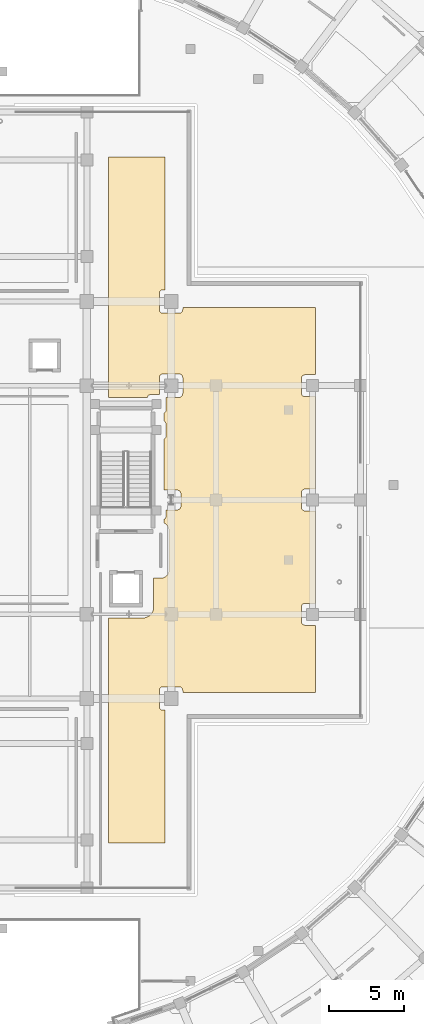
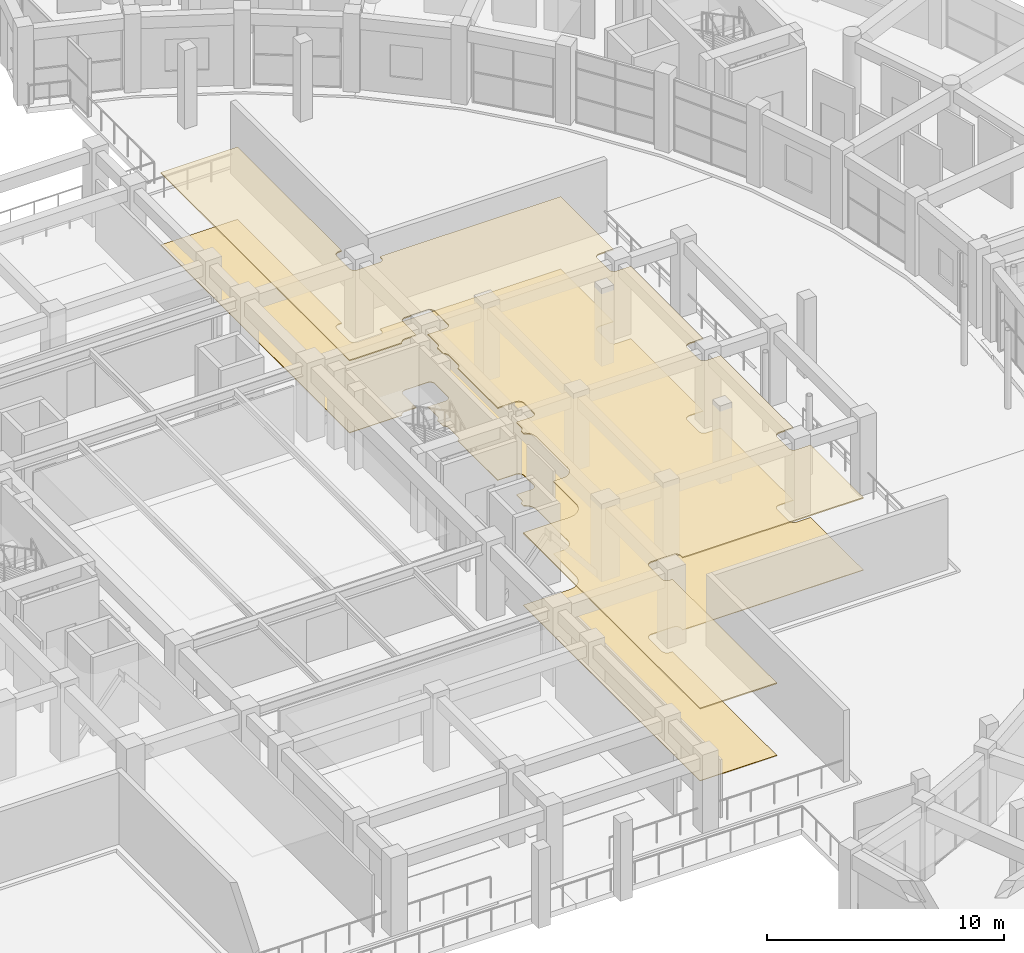
# One storey, part 82 of 87: 2 coverings.
"""IFC4 building model written with IfcOpenShell, lengths in metres."""

from ifc_helpers import new_model, si_unit, direction, frame, origin, place, context, subcontext, project, spatial, polyline, outline, extrude, material, layer, layer_set, type_object, element, save


model = new_model("IFC4")

# Units and contexts
model_context = context("Model", 3, precision=1e-05, world=origin(), true_north=direction((0.0, 1.0)))
body_context = subcontext(model_context, "Body", "Model", "MODEL_VIEW")
ifc_project = project(units=[si_unit("LENGTHUNIT", "METRE"), si_unit("AREAUNIT", "SQUARE_METRE"), si_unit("VOLUMEUNIT", "CUBIC_METRE"), si_unit("PLANEANGLEUNIT", "RADIAN"), si_unit("MASSUNIT", "GRAM", prefix="KILO")], contexts=[model_context])

# Site, building, storey
site_placement = place(None, origin())
site = spatial("IfcSite", under=ifc_project, at=site_placement, CompositionType="ELEMENT")
building_placement = place(site_placement, origin())
building = spatial("IfcBuilding", under=site, at=building_placement, Name="Saryqyr Civic Hall", CompositionType="ELEMENT")
storey_placement = place(building_placement, frame((0.0, 0.0, 5.10009765625)))
storey = spatial("IfcBuildingStorey", under=building, at=storey_placement, Name="L01", CompositionType="ELEMENT", Elevation=5.10009765625)

# Coverings
ifc_material_1 = material(Name="Mineral-fibre acoustic ceiling tile", Category="acoustic_tile")
ifc_layer_1 = layer(ifc_material_1, 0.06005859375, Name="Mineral-fibre acoustic ceiling tile")
ifc_layer_set_1 = layer_set([ifc_layer_1], Name="Mineral-fibre acoustic ceiling tile")
covering_type_1 = type_object("IfcCoveringType", Name="INT-COV-CEIL-60", PredefinedType="CEILING", material=ifc_layer_set_1)
covering_1_placement = place(storey_placement, frame((0.0, 0.0, 3.7099609375)))
element("IfcCovering", 1, at=covering_1_placement, inside=storey, type_object=covering_type_1, Name="Acoustic ceiling Public Exhibition Mezzanine East", PredefinedType="CEILING", context=body_context, shape_type="SweptSolid", body=[
    extrude(outline(polyline([(66.050048828125, 76.152099609375), (66.080322265625, 76.150390625), (66.10009765625, 76.14990234375), (68.300048828125, 76.14990234375), (68.319580078125, 76.150390625), (68.35400390625, 76.152099609375), (68.39306640625, 76.156005859375), (68.427001953125, 76.1611328125), (68.465576171875, 76.168701171875), (68.498779296875, 76.177001953125), (68.536376953125, 76.1884765625), (68.568603515625, 76.199951171875), (68.60498046875, 76.215087890625), (68.635986328125, 76.229736328125), (68.670654296875, 76.248291015625), (68.7001953125, 76.265869140625), (68.732666015625, 76.28759765625), (68.76025390625, 76.30810546875), (68.790771484375, 76.3330078125), (68.816162109375, 76.356201171875), (68.843994140625, 76.3837890625), (68.866943359375, 76.4091796875), (68.891845703125, 76.439697265625), (68.912353515625, 76.46728515625), (68.93408203125, 76.5), (68.951904296875, 76.529296875), (68.97021484375, 76.56396484375), (68.985107421875, 76.594970703125), (69.0, 76.63134765625), (69.011474609375, 76.66357421875), (69.02294921875, 76.701171875), (69.03125, 76.734619140625), (69.038818359375, 76.77294921875), (69.0439453125, 76.806884765625), (69.0478515625, 76.84619140625), (69.049560546875, 76.88037109375), (69.050048828125, 76.89990234375), (69.050048828125, 78.797607421875), (69.522705078125, 78.800048828125), (69.57666015625, 78.802978515625), (69.6298828125, 78.81103515625), (69.68212890625, 78.824462890625), (69.73291015625, 78.8427734375), (69.781494140625, 78.8662109375), (69.82763671875, 78.89404296875), (69.87060546875, 78.92626953125), (69.910400390625, 78.962646484375), (69.946533203125, 79.002685546875), (69.978515625, 79.04638671875), (70.006103515625, 79.092529296875), (70.02880859375, 79.1416015625), (70.046875, 79.1923828125), (70.059814453125, 79.24462890625), (70.0673828125, 79.298095703125), (70.070068359375, 79.351806640625), (70.06103515625, 81.968505859375), (70.058349609375, 82.022216796875), (70.05029296875, 82.075439453125), (70.037109375, 82.127685546875), (70.018798828125, 82.17822265625), (69.99560546875, 82.226806640625), (69.968017578125, 82.27294921875), (69.935791015625, 82.316162109375), (69.8994140625, 82.35595703125), (69.859619140625, 82.39208984375), (69.81640625, 82.42431640625), (69.77001953125, 82.451904296875), (69.721435546875, 82.474853515625), (69.719970703125, 82.475341796875), (69.719970703125, 82.7060546875), (69.73779296875, 82.714599609375), (69.7587890625, 82.72705078125), (69.778564453125, 82.74169921875), (69.796875, 82.75830078125), (69.813232421875, 82.7763671875), (69.827880859375, 82.796142578125), (69.840576171875, 82.817138671875), (69.85107421875, 82.83935546875), (69.859130859375, 82.8623046875), (69.865234375, 82.88623046875), (69.868896484375, 82.910400390625), (69.8701171875, 82.93505859375), (69.8701171875, 83.344970703125), (70.60498046875, 83.344970703125), (70.62939453125, 83.34619140625), (70.65380859375, 83.349853515625), (70.677490234375, 83.355712890625), (70.70068359375, 83.364013671875), (70.722900390625, 83.37451171875), (70.743896484375, 83.38720703125), (70.763671875, 83.401611328125), (70.78173828125, 83.418212890625), (70.79833984375, 83.436279296875), (70.81298828125, 83.4560546875), (70.825439453125, 83.477294921875), (70.8359375, 83.499267578125), (70.84423828125, 83.5224609375), (70.85009765625, 83.546142578125), (70.853759765625, 83.570556640625), (70.85498046875, 83.594970703125), (70.85498046875, 84.405029296875), (70.853759765625, 84.429443359375), (70.85009765625, 84.453857421875), (70.84423828125, 84.4775390625), (70.8359375, 84.500732421875), (70.825439453125, 84.522705078125), (70.81298828125, 84.5439453125), (70.79833984375, 84.563720703125), (70.78173828125, 84.581787109375), (70.763671875, 84.598388671875), (70.743896484375, 84.61279296875), (70.722900390625, 84.62548828125), (70.70068359375, 84.635986328125), (70.677490234375, 84.644287109375), (70.65380859375, 84.650146484375), (70.62939453125, 84.65380859375), (70.60498046875, 84.655029296875), (69.794921875, 84.655029296875), (69.7705078125, 84.65380859375), (69.74609375, 84.650146484375), (69.722412109375, 84.644287109375), (69.719970703125, 84.643310546875), (69.719970703125, 88.041015625), (69.73779296875, 88.049560546875), (69.7587890625, 88.06201171875), (69.778564453125, 88.07666015625), (69.796875, 88.09326171875), (69.813232421875, 88.111328125), (69.827880859375, 88.131103515625), (69.840576171875, 88.152099609375), (69.85107421875, 88.17431640625), (69.859130859375, 88.197509765625), (69.865234375, 88.22119140625), (69.868896484375, 88.24560546875), (69.8701171875, 88.27001953125), (69.8701171875, 89.030029296875), (69.868896484375, 89.054443359375), (69.865234375, 89.078857421875), (69.859130859375, 89.1025390625), (69.85107421875, 89.125732421875), (69.840576171875, 89.147705078125), (69.827880859375, 89.1689453125), (69.813232421875, 89.188720703125), (69.796875, 89.206787109375), (69.778564453125, 89.223388671875), (69.7587890625, 89.23779296875), (69.73779296875, 89.25048828125), (69.719970703125, 89.2587890625), (69.719970703125, 89.77099609375), (69.73779296875, 89.779541015625), (69.7587890625, 89.7919921875), (69.778564453125, 89.806640625), (69.796875, 89.8232421875), (69.813232421875, 89.84130859375), (69.827880859375, 89.861083984375), (69.840576171875, 89.882080078125), (69.85107421875, 89.904296875), (69.859130859375, 89.927490234375), (69.865234375, 89.951171875), (69.868896484375, 89.9755859375), (69.8701171875, 90.0), (69.8701171875, 90.760009765625), (69.868896484375, 90.784423828125), (69.865234375, 90.808837890625), (69.8623046875, 90.820068359375), (70.72998046875, 90.820068359375), (70.75439453125, 90.8212890625), (70.77880859375, 90.82470703125), (70.802490234375, 90.830810546875), (70.82568359375, 90.839111328125), (70.847900390625, 90.849609375), (70.868896484375, 90.862060546875), (70.888671875, 90.876708984375), (70.90673828125, 90.893310546875), (70.92333984375, 90.911376953125), (70.93798828125, 90.93115234375), (70.950439453125, 90.9521484375), (70.9609375, 90.974365234375), (70.96923828125, 90.997314453125), (70.97509765625, 91.021240234375), (70.978759765625, 91.04541015625), (70.97998046875, 91.070068359375), (70.97998046875, 92.1298828125), (70.978759765625, 92.154541015625), (70.97509765625, 92.1787109375), (70.96923828125, 92.20263671875), (70.9609375, 92.2255859375), (70.950439453125, 92.247802734375), (70.93798828125, 92.268798828125), (70.92333984375, 92.28857421875), (70.90673828125, 92.306884765625), (70.888671875, 92.3232421875), (70.868896484375, 92.337890625), (70.847900390625, 92.3505859375), (70.82568359375, 92.361083984375), (70.802490234375, 92.369140625), (70.77880859375, 92.375244140625), (70.75439453125, 92.37890625), (70.72998046875, 92.3798828125), (69.669921875, 92.3798828125), (69.6455078125, 92.37890625), (69.62109375, 92.375244140625), (69.597412109375, 92.369140625), (69.57421875, 92.361083984375), (69.55224609375, 92.3505859375), (69.531005859375, 92.337890625), (69.511474609375, 92.3232421875), (69.4931640625, 92.306884765625), (69.476806640625, 92.28857421875), (69.462158203125, 92.268798828125), (69.449462890625, 92.247802734375), (69.43896484375, 92.2255859375), (69.430908203125, 92.20263671875), (69.4248046875, 92.1787109375), (69.421142578125, 92.154541015625), (69.419921875, 92.1298828125), (69.419921875, 91.070068359375), (69.421142578125, 91.04541015625), (69.4248046875, 91.021240234375), (69.427490234375, 91.010009765625), (68.860107421875, 91.010009765625), (68.83544921875, 91.0087890625), (68.811279296875, 91.005126953125), (68.787353515625, 90.999267578125), (68.764404296875, 90.990966796875), (68.7421875, 90.98046875), (68.72119140625, 90.968017578125), (68.701416015625, 90.953369140625), (68.68310546875, 90.936767578125), (68.666748046875, 90.918701171875), (68.652099609375, 90.89892578125), (68.639404296875, 90.877685546875), (68.62890625, 90.855712890625), (68.620849609375, 90.83251953125), (68.61767578125, 90.820068359375), (66.050048828125, 90.820068359375), (66.050048828125, 106.800048828125), (69.800048828125, 106.800048828125), (69.800048828125, 97.97998046875), (69.669921875, 97.97998046875), (69.6455078125, 97.978759765625), (69.62109375, 97.97509765625), (69.597412109375, 97.96923828125), (69.57421875, 97.9609375), (69.55224609375, 97.950439453125), (69.531005859375, 97.93798828125), (69.511474609375, 97.92333984375), (69.4931640625, 97.90673828125), (69.476806640625, 97.888671875), (69.462158203125, 97.868896484375), (69.449462890625, 97.847900390625), (69.43896484375, 97.82568359375), (69.430908203125, 97.802490234375), (69.4248046875, 97.77880859375), (69.421142578125, 97.75439453125), (69.419921875, 97.72998046875), (69.419921875, 96.669921875), (69.421142578125, 96.6455078125), (69.4248046875, 96.62109375), (69.430908203125, 96.597412109375), (69.43896484375, 96.57421875), (69.449462890625, 96.55224609375), (69.462158203125, 96.531005859375), (69.476806640625, 96.511474609375), (69.4931640625, 96.4931640625), (69.511474609375, 96.476806640625), (69.531005859375, 96.462158203125), (69.55224609375, 96.449462890625), (69.57421875, 96.43896484375), (69.597412109375, 96.430908203125), (69.62109375, 96.4248046875), (69.6455078125, 96.421142578125), (69.669921875, 96.419921875), (70.72998046875, 96.419921875), (70.75439453125, 96.421142578125), (70.77880859375, 96.4248046875), (70.802490234375, 96.430908203125), (70.82568359375, 96.43896484375), (70.847900390625, 96.449462890625), (70.868896484375, 96.462158203125), (70.888671875, 96.476806640625), (70.90673828125, 96.4931640625), (70.92333984375, 96.511474609375), (70.93798828125, 96.531005859375), (70.950439453125, 96.55224609375), (70.9609375, 96.57421875), (70.96923828125, 96.597412109375), (70.97509765625, 96.62109375), (70.978759765625, 96.6455078125), (70.97998046875, 96.669921875), (70.97998046875, 96.800048828125), (79.800048828125, 96.800048828125), (79.800048828125, 92.330078125), (79.1201171875, 92.330078125), (79.095458984375, 92.328857421875), (79.0712890625, 92.3251953125), (79.04736328125, 92.319091796875), (79.0244140625, 92.31103515625), (79.002197265625, 92.300537109375), (78.981201171875, 92.287841796875), (78.96142578125, 92.273193359375), (78.943115234375, 92.2568359375), (78.9267578125, 92.238525390625), (78.912109375, 92.218994140625), (78.8994140625, 92.19775390625), (78.888916015625, 92.17578125), (78.880859375, 92.152587890625), (78.874755859375, 92.12890625), (78.87109375, 92.1044921875), (78.8701171875, 92.080078125), (78.8701171875, 91.1201171875), (78.87109375, 91.095458984375), (78.874755859375, 91.0712890625), (78.880859375, 91.04736328125), (78.888916015625, 91.0244140625), (78.8994140625, 91.002197265625), (78.912109375, 90.981201171875), (78.9267578125, 90.96142578125), (78.943115234375, 90.943115234375), (78.96142578125, 90.9267578125), (78.981201171875, 90.912109375), (79.002197265625, 90.8994140625), (79.0244140625, 90.888916015625), (79.04736328125, 90.880859375), (79.0712890625, 90.874755859375), (79.095458984375, 90.87109375), (79.1201171875, 90.8701171875), (79.800048828125, 90.8701171875), (79.800048828125, 84.72998046875), (79.1201171875, 84.72998046875), (79.095458984375, 84.728759765625), (79.0712890625, 84.72509765625), (79.04736328125, 84.71923828125), (79.0244140625, 84.7109375), (79.002197265625, 84.700439453125), (78.981201171875, 84.68798828125), (78.96142578125, 84.67333984375), (78.943115234375, 84.65673828125), (78.9267578125, 84.638671875), (78.912109375, 84.618896484375), (78.8994140625, 84.597900390625), (78.888916015625, 84.57568359375), (78.880859375, 84.552490234375), (78.874755859375, 84.52880859375), (78.87109375, 84.50439453125), (78.8701171875, 84.47998046875), (78.8701171875, 83.52001953125), (78.87109375, 83.49560546875), (78.874755859375, 83.47119140625), (78.880859375, 83.447509765625), (78.888916015625, 83.42431640625), (78.8994140625, 83.402099609375), (78.912109375, 83.381103515625), (78.9267578125, 83.361328125), (78.943115234375, 83.34326171875), (78.96142578125, 83.32666015625), (78.981201171875, 83.31201171875), (79.002197265625, 83.299560546875), (79.0244140625, 83.2890625), (79.04736328125, 83.28076171875), (79.0712890625, 83.27490234375), (79.095458984375, 83.271240234375), (79.1201171875, 83.27001953125), (79.800048828125, 83.27001953125), (79.800048828125, 77.1298828125), (79.1201171875, 77.1298828125), (79.095458984375, 77.12890625), (79.0712890625, 77.125244140625), (79.04736328125, 77.119140625), (79.0244140625, 77.111083984375), (79.002197265625, 77.1005859375), (78.981201171875, 77.087890625), (78.96142578125, 77.0732421875), (78.943115234375, 77.056884765625), (78.9267578125, 77.03857421875), (78.912109375, 77.018798828125), (78.8994140625, 76.997802734375), (78.888916015625, 76.9755859375), (78.880859375, 76.95263671875), (78.874755859375, 76.9287109375), (78.87109375, 76.904541015625), (78.8701171875, 76.8798828125), (78.8701171875, 75.919921875), (78.87109375, 75.8955078125), (78.874755859375, 75.87109375), (78.880859375, 75.847412109375), (78.888916015625, 75.82421875), (78.8994140625, 75.80224609375), (78.912109375, 75.781005859375), (78.9267578125, 75.761474609375), (78.943115234375, 75.7431640625), (78.96142578125, 75.726806640625), (78.981201171875, 75.712158203125), (79.002197265625, 75.699462890625), (79.0244140625, 75.68896484375), (79.04736328125, 75.680908203125), (79.0712890625, 75.6748046875), (79.095458984375, 75.671142578125), (79.1201171875, 75.669921875), (79.800048828125, 75.669921875), (79.800048828125, 71.199951171875), (70.97998046875, 71.199951171875), (70.97998046875, 71.330078125), (70.978759765625, 71.3544921875), (70.97509765625, 71.37890625), (70.96923828125, 71.402587890625), (70.9609375, 71.42578125), (70.950439453125, 71.44775390625), (70.93798828125, 71.468994140625), (70.92333984375, 71.488525390625), (70.90673828125, 71.5068359375), (70.888671875, 71.523193359375), (70.868896484375, 71.537841796875), (70.847900390625, 71.550537109375), (70.82568359375, 71.56103515625), (70.802490234375, 71.569091796875), (70.77880859375, 71.5751953125), (70.75439453125, 71.578857421875), (70.72998046875, 71.580078125), (69.669921875, 71.580078125), (69.6455078125, 71.578857421875), (69.62109375, 71.5751953125), (69.597412109375, 71.569091796875), (69.57421875, 71.56103515625), (69.55224609375, 71.550537109375), (69.531005859375, 71.537841796875), (69.511474609375, 71.523193359375), (69.4931640625, 71.5068359375), (69.476806640625, 71.488525390625), (69.462158203125, 71.468994140625), (69.449462890625, 71.44775390625), (69.43896484375, 71.42578125), (69.430908203125, 71.402587890625), (69.4248046875, 71.37890625), (69.421142578125, 71.3544921875), (69.419921875, 71.330078125), (69.419921875, 70.27001953125), (69.421142578125, 70.24560546875), (69.4248046875, 70.22119140625), (69.430908203125, 70.197509765625), (69.43896484375, 70.17431640625), (69.449462890625, 70.152099609375), (69.462158203125, 70.131103515625), (69.476806640625, 70.111328125), (69.4931640625, 70.09326171875), (69.511474609375, 70.07666015625), (69.531005859375, 70.06201171875), (69.55224609375, 70.049560546875), (69.57421875, 70.0390625), (69.597412109375, 70.03076171875), (69.62109375, 70.02490234375), (69.6455078125, 70.021240234375), (69.669921875, 70.02001953125), (69.800048828125, 70.02001953125), (69.800048828125, 61.199951171875), (66.050048828125, 61.199951171875), (66.050048828125, 76.152099609375)])), origin(), (0.0, 0.0, 1.0), 0.06005859375),
])
ifc_material_2 = material(Name="Polished terrazzo tile", Category="stone")
ifc_layer_2 = layer(ifc_material_2, 0.030029296875, Name="Polished terrazzo tile")
ifc_layer_set_2 = layer_set([ifc_layer_2], Name="Polished terrazzo tile")
covering_type_2 = type_object("IfcCoveringType", Name="INT-COV-FLR-30", PredefinedType="FLOORING", material=ifc_layer_set_2)
covering_2_placement = place(storey_placement, origin())
element("IfcCovering", 2, at=covering_2_placement, inside=storey, type_object=covering_type_2, Name="Polished terrazzo flooring Public Exhibition Mezzanine East", PredefinedType="FLOORING", context=body_context, shape_type="SweptSolid", body=[
    extrude(outline(polyline([(66.050048828125, 76.152099609375), (66.080322265625, 76.150390625), (66.10009765625, 76.14990234375), (68.300048828125, 76.14990234375), (68.319580078125, 76.150390625), (68.35400390625, 76.152099609375), (68.39306640625, 76.156005859375), (68.427001953125, 76.1611328125), (68.465576171875, 76.168701171875), (68.498779296875, 76.177001953125), (68.536376953125, 76.1884765625), (68.568603515625, 76.199951171875), (68.60498046875, 76.215087890625), (68.635986328125, 76.229736328125), (68.670654296875, 76.248291015625), (68.7001953125, 76.265869140625), (68.732666015625, 76.28759765625), (68.76025390625, 76.30810546875), (68.790771484375, 76.3330078125), (68.816162109375, 76.356201171875), (68.843994140625, 76.3837890625), (68.866943359375, 76.4091796875), (68.891845703125, 76.439697265625), (68.912353515625, 76.46728515625), (68.93408203125, 76.5), (68.951904296875, 76.529296875), (68.97021484375, 76.56396484375), (68.985107421875, 76.594970703125), (69.0, 76.63134765625), (69.011474609375, 76.66357421875), (69.02294921875, 76.701171875), (69.03125, 76.734619140625), (69.038818359375, 76.77294921875), (69.0439453125, 76.806884765625), (69.0478515625, 76.84619140625), (69.049560546875, 76.88037109375), (69.050048828125, 76.89990234375), (69.050048828125, 78.797607421875), (69.522705078125, 78.800048828125), (69.57666015625, 78.802978515625), (69.6298828125, 78.81103515625), (69.68212890625, 78.824462890625), (69.73291015625, 78.8427734375), (69.781494140625, 78.8662109375), (69.82763671875, 78.89404296875), (69.87060546875, 78.92626953125), (69.910400390625, 78.962646484375), (69.946533203125, 79.002685546875), (69.978515625, 79.04638671875), (70.006103515625, 79.092529296875), (70.02880859375, 79.1416015625), (70.046875, 79.1923828125), (70.059814453125, 79.24462890625), (70.0673828125, 79.298095703125), (70.070068359375, 79.351806640625), (70.06103515625, 81.968505859375), (70.058349609375, 82.022216796875), (70.05029296875, 82.075439453125), (70.037109375, 82.127685546875), (70.018798828125, 82.17822265625), (69.99560546875, 82.226806640625), (69.968017578125, 82.27294921875), (69.935791015625, 82.316162109375), (69.8994140625, 82.35595703125), (69.859619140625, 82.39208984375), (69.81640625, 82.42431640625), (69.77001953125, 82.451904296875), (69.721435546875, 82.474853515625), (69.719970703125, 82.475341796875), (69.719970703125, 82.7060546875), (69.73779296875, 82.714599609375), (69.7587890625, 82.72705078125), (69.778564453125, 82.74169921875), (69.796875, 82.75830078125), (69.813232421875, 82.7763671875), (69.827880859375, 82.796142578125), (69.840576171875, 82.817138671875), (69.85107421875, 82.83935546875), (69.859130859375, 82.8623046875), (69.865234375, 82.88623046875), (69.868896484375, 82.910400390625), (69.8701171875, 82.93505859375), (69.8701171875, 83.344970703125), (70.60498046875, 83.344970703125), (70.62939453125, 83.34619140625), (70.65380859375, 83.349853515625), (70.677490234375, 83.355712890625), (70.70068359375, 83.364013671875), (70.722900390625, 83.37451171875), (70.743896484375, 83.38720703125), (70.763671875, 83.401611328125), (70.78173828125, 83.418212890625), (70.79833984375, 83.436279296875), (70.81298828125, 83.4560546875), (70.825439453125, 83.477294921875), (70.8359375, 83.499267578125), (70.84423828125, 83.5224609375), (70.85009765625, 83.546142578125), (70.853759765625, 83.570556640625), (70.85498046875, 83.594970703125), (70.85498046875, 84.405029296875), (70.853759765625, 84.429443359375), (70.85009765625, 84.453857421875), (70.84423828125, 84.4775390625), (70.8359375, 84.500732421875), (70.825439453125, 84.522705078125), (70.81298828125, 84.5439453125), (70.79833984375, 84.563720703125), (70.78173828125, 84.581787109375), (70.763671875, 84.598388671875), (70.743896484375, 84.61279296875), (70.722900390625, 84.62548828125), (70.70068359375, 84.635986328125), (70.677490234375, 84.644287109375), (70.65380859375, 84.650146484375), (70.62939453125, 84.65380859375), (70.60498046875, 84.655029296875), (69.794921875, 84.655029296875), (69.7705078125, 84.65380859375), (69.74609375, 84.650146484375), (69.722412109375, 84.644287109375), (69.719970703125, 84.643310546875), (69.719970703125, 88.041015625), (69.73779296875, 88.049560546875), (69.7587890625, 88.06201171875), (69.778564453125, 88.07666015625), (69.796875, 88.09326171875), (69.813232421875, 88.111328125), (69.827880859375, 88.131103515625), (69.840576171875, 88.152099609375), (69.85107421875, 88.17431640625), (69.859130859375, 88.197509765625), (69.865234375, 88.22119140625), (69.868896484375, 88.24560546875), (69.8701171875, 88.27001953125), (69.8701171875, 89.030029296875), (69.868896484375, 89.054443359375), (69.865234375, 89.078857421875), (69.859130859375, 89.1025390625), (69.85107421875, 89.125732421875), (69.840576171875, 89.147705078125), (69.827880859375, 89.1689453125), (69.813232421875, 89.188720703125), (69.796875, 89.206787109375), (69.778564453125, 89.223388671875), (69.7587890625, 89.23779296875), (69.73779296875, 89.25048828125), (69.719970703125, 89.2587890625), (69.719970703125, 89.77099609375), (69.73779296875, 89.779541015625), (69.7587890625, 89.7919921875), (69.778564453125, 89.806640625), (69.796875, 89.8232421875), (69.813232421875, 89.84130859375), (69.827880859375, 89.861083984375), (69.840576171875, 89.882080078125), (69.85107421875, 89.904296875), (69.859130859375, 89.927490234375), (69.865234375, 89.951171875), (69.868896484375, 89.9755859375), (69.8701171875, 90.0), (69.8701171875, 90.760009765625), (69.868896484375, 90.784423828125), (69.865234375, 90.808837890625), (69.8623046875, 90.820068359375), (70.72998046875, 90.820068359375), (70.75439453125, 90.8212890625), (70.77880859375, 90.82470703125), (70.802490234375, 90.830810546875), (70.82568359375, 90.839111328125), (70.847900390625, 90.849609375), (70.868896484375, 90.862060546875), (70.888671875, 90.876708984375), (70.90673828125, 90.893310546875), (70.92333984375, 90.911376953125), (70.93798828125, 90.93115234375), (70.950439453125, 90.9521484375), (70.9609375, 90.974365234375), (70.96923828125, 90.997314453125), (70.97509765625, 91.021240234375), (70.978759765625, 91.04541015625), (70.97998046875, 91.070068359375), (70.97998046875, 92.1298828125), (70.978759765625, 92.154541015625), (70.97509765625, 92.1787109375), (70.96923828125, 92.20263671875), (70.9609375, 92.2255859375), (70.950439453125, 92.247802734375), (70.93798828125, 92.268798828125), (70.92333984375, 92.28857421875), (70.90673828125, 92.306884765625), (70.888671875, 92.3232421875), (70.868896484375, 92.337890625), (70.847900390625, 92.3505859375), (70.82568359375, 92.361083984375), (70.802490234375, 92.369140625), (70.77880859375, 92.375244140625), (70.75439453125, 92.37890625), (70.72998046875, 92.3798828125), (69.669921875, 92.3798828125), (69.6455078125, 92.37890625), (69.62109375, 92.375244140625), (69.597412109375, 92.369140625), (69.57421875, 92.361083984375), (69.55224609375, 92.3505859375), (69.531005859375, 92.337890625), (69.511474609375, 92.3232421875), (69.4931640625, 92.306884765625), (69.476806640625, 92.28857421875), (69.462158203125, 92.268798828125), (69.449462890625, 92.247802734375), (69.43896484375, 92.2255859375), (69.430908203125, 92.20263671875), (69.4248046875, 92.1787109375), (69.421142578125, 92.154541015625), (69.419921875, 92.1298828125), (69.419921875, 91.070068359375), (69.421142578125, 91.04541015625), (69.4248046875, 91.021240234375), (69.427490234375, 91.010009765625), (68.860107421875, 91.010009765625), (68.83544921875, 91.0087890625), (68.811279296875, 91.005126953125), (68.787353515625, 90.999267578125), (68.764404296875, 90.990966796875), (68.7421875, 90.98046875), (68.72119140625, 90.968017578125), (68.701416015625, 90.953369140625), (68.68310546875, 90.936767578125), (68.666748046875, 90.918701171875), (68.652099609375, 90.89892578125), (68.639404296875, 90.877685546875), (68.62890625, 90.855712890625), (68.620849609375, 90.83251953125), (68.61767578125, 90.820068359375), (66.050048828125, 90.820068359375), (66.050048828125, 106.800048828125), (69.800048828125, 106.800048828125), (69.800048828125, 97.97998046875), (69.669921875, 97.97998046875), (69.6455078125, 97.978759765625), (69.62109375, 97.97509765625), (69.597412109375, 97.96923828125), (69.57421875, 97.9609375), (69.55224609375, 97.950439453125), (69.531005859375, 97.93798828125), (69.511474609375, 97.92333984375), (69.4931640625, 97.90673828125), (69.476806640625, 97.888671875), (69.462158203125, 97.868896484375), (69.449462890625, 97.847900390625), (69.43896484375, 97.82568359375), (69.430908203125, 97.802490234375), (69.4248046875, 97.77880859375), (69.421142578125, 97.75439453125), (69.419921875, 97.72998046875), (69.419921875, 96.669921875), (69.421142578125, 96.6455078125), (69.4248046875, 96.62109375), (69.430908203125, 96.597412109375), (69.43896484375, 96.57421875), (69.449462890625, 96.55224609375), (69.462158203125, 96.531005859375), (69.476806640625, 96.511474609375), (69.4931640625, 96.4931640625), (69.511474609375, 96.476806640625), (69.531005859375, 96.462158203125), (69.55224609375, 96.449462890625), (69.57421875, 96.43896484375), (69.597412109375, 96.430908203125), (69.62109375, 96.4248046875), (69.6455078125, 96.421142578125), (69.669921875, 96.419921875), (70.72998046875, 96.419921875), (70.75439453125, 96.421142578125), (70.77880859375, 96.4248046875), (70.802490234375, 96.430908203125), (70.82568359375, 96.43896484375), (70.847900390625, 96.449462890625), (70.868896484375, 96.462158203125), (70.888671875, 96.476806640625), (70.90673828125, 96.4931640625), (70.92333984375, 96.511474609375), (70.93798828125, 96.531005859375), (70.950439453125, 96.55224609375), (70.9609375, 96.57421875), (70.96923828125, 96.597412109375), (70.97509765625, 96.62109375), (70.978759765625, 96.6455078125), (70.97998046875, 96.669921875), (70.97998046875, 96.800048828125), (79.800048828125, 96.800048828125), (79.800048828125, 92.330078125), (79.1201171875, 92.330078125), (79.095458984375, 92.328857421875), (79.0712890625, 92.3251953125), (79.04736328125, 92.319091796875), (79.0244140625, 92.31103515625), (79.002197265625, 92.300537109375), (78.981201171875, 92.287841796875), (78.96142578125, 92.273193359375), (78.943115234375, 92.2568359375), (78.9267578125, 92.238525390625), (78.912109375, 92.218994140625), (78.8994140625, 92.19775390625), (78.888916015625, 92.17578125), (78.880859375, 92.152587890625), (78.874755859375, 92.12890625), (78.87109375, 92.1044921875), (78.8701171875, 92.080078125), (78.8701171875, 91.1201171875), (78.87109375, 91.095458984375), (78.874755859375, 91.0712890625), (78.880859375, 91.04736328125), (78.888916015625, 91.0244140625), (78.8994140625, 91.002197265625), (78.912109375, 90.981201171875), (78.9267578125, 90.96142578125), (78.943115234375, 90.943115234375), (78.96142578125, 90.9267578125), (78.981201171875, 90.912109375), (79.002197265625, 90.8994140625), (79.0244140625, 90.888916015625), (79.04736328125, 90.880859375), (79.0712890625, 90.874755859375), (79.095458984375, 90.87109375), (79.1201171875, 90.8701171875), (79.800048828125, 90.8701171875), (79.800048828125, 84.72998046875), (79.1201171875, 84.72998046875), (79.095458984375, 84.728759765625), (79.0712890625, 84.72509765625), (79.04736328125, 84.71923828125), (79.0244140625, 84.7109375), (79.002197265625, 84.700439453125), (78.981201171875, 84.68798828125), (78.96142578125, 84.67333984375), (78.943115234375, 84.65673828125), (78.9267578125, 84.638671875), (78.912109375, 84.618896484375), (78.8994140625, 84.597900390625), (78.888916015625, 84.57568359375), (78.880859375, 84.552490234375), (78.874755859375, 84.52880859375), (78.87109375, 84.50439453125), (78.8701171875, 84.47998046875), (78.8701171875, 83.52001953125), (78.87109375, 83.49560546875), (78.874755859375, 83.47119140625), (78.880859375, 83.447509765625), (78.888916015625, 83.42431640625), (78.8994140625, 83.402099609375), (78.912109375, 83.381103515625), (78.9267578125, 83.361328125), (78.943115234375, 83.34326171875), (78.96142578125, 83.32666015625), (78.981201171875, 83.31201171875), (79.002197265625, 83.299560546875), (79.0244140625, 83.2890625), (79.04736328125, 83.28076171875), (79.0712890625, 83.27490234375), (79.095458984375, 83.271240234375), (79.1201171875, 83.27001953125), (79.800048828125, 83.27001953125), (79.800048828125, 77.1298828125), (79.1201171875, 77.1298828125), (79.095458984375, 77.12890625), (79.0712890625, 77.125244140625), (79.04736328125, 77.119140625), (79.0244140625, 77.111083984375), (79.002197265625, 77.1005859375), (78.981201171875, 77.087890625), (78.96142578125, 77.0732421875), (78.943115234375, 77.056884765625), (78.9267578125, 77.03857421875), (78.912109375, 77.018798828125), (78.8994140625, 76.997802734375), (78.888916015625, 76.9755859375), (78.880859375, 76.95263671875), (78.874755859375, 76.9287109375), (78.87109375, 76.904541015625), (78.8701171875, 76.8798828125), (78.8701171875, 75.919921875), (78.87109375, 75.8955078125), (78.874755859375, 75.87109375), (78.880859375, 75.847412109375), (78.888916015625, 75.82421875), (78.8994140625, 75.80224609375), (78.912109375, 75.781005859375), (78.9267578125, 75.761474609375), (78.943115234375, 75.7431640625), (78.96142578125, 75.726806640625), (78.981201171875, 75.712158203125), (79.002197265625, 75.699462890625), (79.0244140625, 75.68896484375), (79.04736328125, 75.680908203125), (79.0712890625, 75.6748046875), (79.095458984375, 75.671142578125), (79.1201171875, 75.669921875), (79.800048828125, 75.669921875), (79.800048828125, 71.199951171875), (70.97998046875, 71.199951171875), (70.97998046875, 71.330078125), (70.978759765625, 71.3544921875), (70.97509765625, 71.37890625), (70.96923828125, 71.402587890625), (70.9609375, 71.42578125), (70.950439453125, 71.44775390625), (70.93798828125, 71.468994140625), (70.92333984375, 71.488525390625), (70.90673828125, 71.5068359375), (70.888671875, 71.523193359375), (70.868896484375, 71.537841796875), (70.847900390625, 71.550537109375), (70.82568359375, 71.56103515625), (70.802490234375, 71.569091796875), (70.77880859375, 71.5751953125), (70.75439453125, 71.578857421875), (70.72998046875, 71.580078125), (69.669921875, 71.580078125), (69.6455078125, 71.578857421875), (69.62109375, 71.5751953125), (69.597412109375, 71.569091796875), (69.57421875, 71.56103515625), (69.55224609375, 71.550537109375), (69.531005859375, 71.537841796875), (69.511474609375, 71.523193359375), (69.4931640625, 71.5068359375), (69.476806640625, 71.488525390625), (69.462158203125, 71.468994140625), (69.449462890625, 71.44775390625), (69.43896484375, 71.42578125), (69.430908203125, 71.402587890625), (69.4248046875, 71.37890625), (69.421142578125, 71.3544921875), (69.419921875, 71.330078125), (69.419921875, 70.27001953125), (69.421142578125, 70.24560546875), (69.4248046875, 70.22119140625), (69.430908203125, 70.197509765625), (69.43896484375, 70.17431640625), (69.449462890625, 70.152099609375), (69.462158203125, 70.131103515625), (69.476806640625, 70.111328125), (69.4931640625, 70.09326171875), (69.511474609375, 70.07666015625), (69.531005859375, 70.06201171875), (69.55224609375, 70.049560546875), (69.57421875, 70.0390625), (69.597412109375, 70.03076171875), (69.62109375, 70.02490234375), (69.6455078125, 70.021240234375), (69.669921875, 70.02001953125), (69.800048828125, 70.02001953125), (69.800048828125, 61.199951171875), (66.050048828125, 61.199951171875), (66.050048828125, 76.152099609375)])), origin(), (0.0, 0.0, 1.0), 0.02978515625),
])

save(model, "model.ifc")
